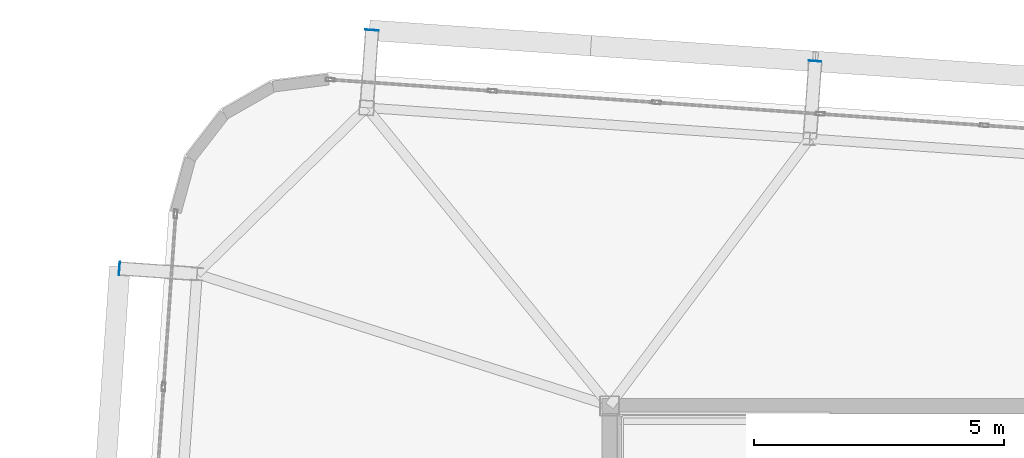
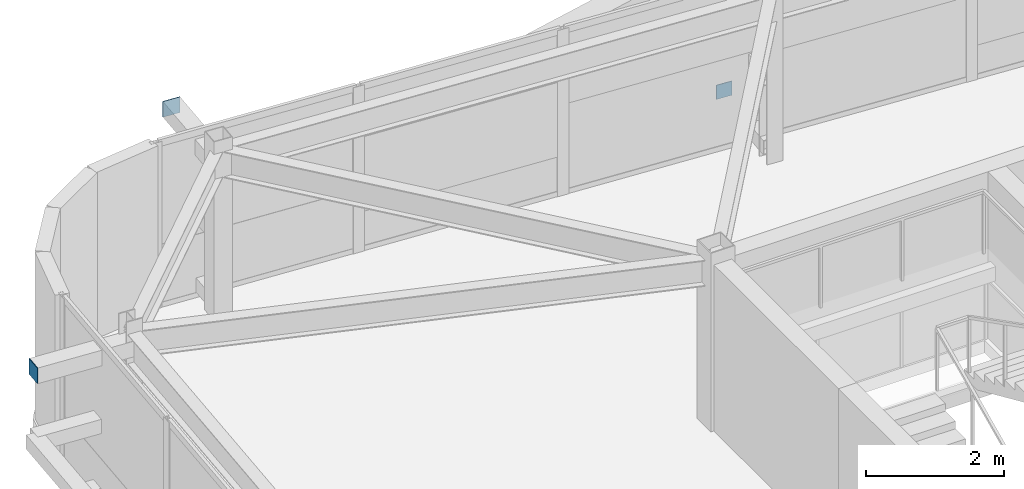
# One storey, part 38 of 47: 3 plates.
"""IFC4 building model written with IfcOpenShell, lengths in metres."""

from ifc_helpers import new_model, si_unit, direction, frame, origin, origin_2d, place, context, subcontext, project, spatial, rectangle, extrude, source, transform, mapped, material, layer, layer_set, type_object, element, save


model = new_model("IFC4")

# Units and contexts
model_context = context("Model", 3, precision=1e-05, world=origin(), true_north=direction((0.0, 1.0)))
body_context = subcontext(model_context, "Body", "Model", "MODEL_VIEW")
ifc_project = project(units=[si_unit("LENGTHUNIT", "METRE"), si_unit("AREAUNIT", "SQUARE_METRE"), si_unit("VOLUMEUNIT", "CUBIC_METRE"), si_unit("PLANEANGLEUNIT", "RADIAN"), si_unit("MASSUNIT", "GRAM", prefix="KILO")], contexts=[model_context])

# Site, building, storey
site_placement = place(None, origin())
site = spatial("IfcSite", under=ifc_project, at=site_placement, CompositionType="ELEMENT")
building_placement = place(site_placement, origin())
building = spatial("IfcBuilding", under=site, at=building_placement, Name="Taldren Reach Tower", CompositionType="ELEMENT")
storey_placement = place(building_placement, frame((0.0, 0.0, 139.300048828125)))
storey = spatial("IfcBuildingStorey", under=building, at=storey_placement, Name="L42", CompositionType="ELEMENT", Elevation=139.300048828125)

# Plates
ifc_material_1 = material(Name="Steel Gr 450 (C450L0)", Category="steel")
ifc_layer_1 = layer(ifc_material_1, 0.011962890625)
ifc_layer_set_1 = layer_set([ifc_layer_1], Name="Steel Gr 450 (C450L0)")
plate_type_1 = type_object("IfcPlateType", Name="PL-CAP-275", PredefinedType="SHEET", material=ifc_layer_set_1)
shared_shape_1 = source(origin(), body_context, "Body", "SweptSolid", [
    extrude(rectangle(XDim=0.27490234375, YDim=0.011962890625, at=origin_2d()), origin(), (0.0, 0.0, 1.0), 0.27490234375),
])
plate_1_placement = place(storey_placement, frame((14.253173828125, 39.510986328125, 2.512451171875), z_axis=(0.0, 0.0, 1.0), x_axis=(0.99756405026, -0.069756473744, 0.0)))
element("IfcPlate", 1, at=plate_1_placement, inside=storey, type_object=plate_type_1, Name="Tie strut end cap plate B3-N1 L42", PredefinedType="SHEET", context=body_context, shape_type="MappedRepresentation", body=[
    mapped(shared_shape_1, transform((0.0, 0.0, 0.0), scale=1.0)),
])
shared_shape_2 = source(origin(), body_context, "Body", "SweptSolid", [
    extrude(rectangle(XDim=0.011962890625, YDim=0.27490234375, at=origin_2d()), origin(), (0.0, 0.0, 1.0), 0.27490234375),
])
plate_2_placement = place(storey_placement, frame((9.202392578125, 34.74560546875, 2.512451171875), z_axis=(0.0, 0.0, 1.0), x_axis=(0.99756405026, -0.069756473744, 0.0)))
element("IfcPlate", 2, at=plate_2_placement, inside=storey, type_object=plate_type_1, Name="Tie strut end cap plate B3-W3 L42", PredefinedType="SHEET", context=body_context, shape_type="MappedRepresentation", body=[
    mapped(shared_shape_2, transform((0.0, 0.0, 0.0), scale=1.0)),
])
ifc_material_2 = material(Name="Steel Gr 350 (C350L0)", Category="steel")
ifc_layer_2 = layer(ifc_material_2, 0.011962890625)
ifc_layer_set_2 = layer_set([ifc_layer_2], Name="Steel Gr 350 (C350L0)")
plate_type_2 = type_object("IfcPlateType", Name="PL-CAP-250", PredefinedType="SHEET", material=ifc_layer_set_2)
shared_shape_3 = source(origin(), body_context, "Body", "SweptSolid", [
    extrude(rectangle(XDim=0.25, YDim=0.011962890625, at=origin_2d()), origin(), (0.0, 0.0, 1.0), 0.25),
])
plate_3_placement = place(storey_placement, frame((23.111572265625, 38.8916015625, 0.094970703125), z_axis=(0.0, 0.0, 1.0), x_axis=(0.99756405026, -0.069756473744, 0.0)))
element("IfcPlate", 3, at=plate_3_placement, inside=storey, type_object=plate_type_2, Name="Tie strut end cap plate B3-N2 L42", PredefinedType="SHEET", context=body_context, shape_type="MappedRepresentation", body=[
    mapped(shared_shape_3, transform((0.0, 0.0, 0.0), scale=1.0)),
])

save(model, "model.ifc")
